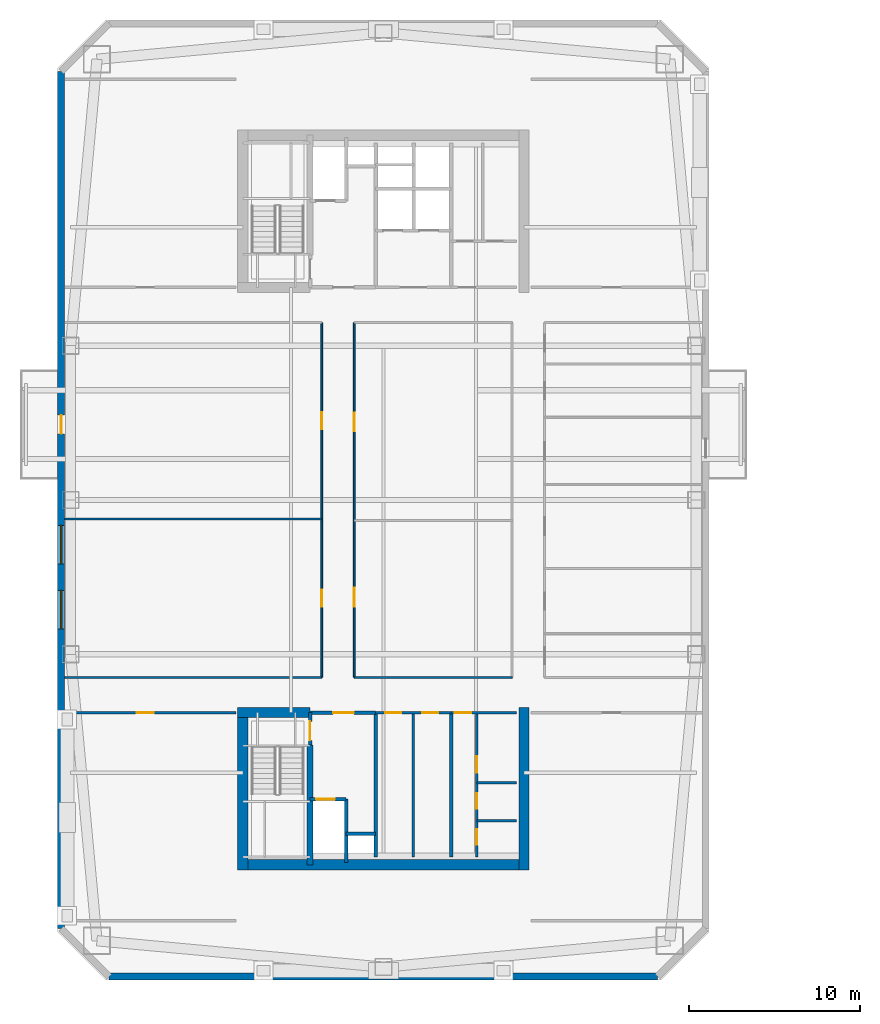
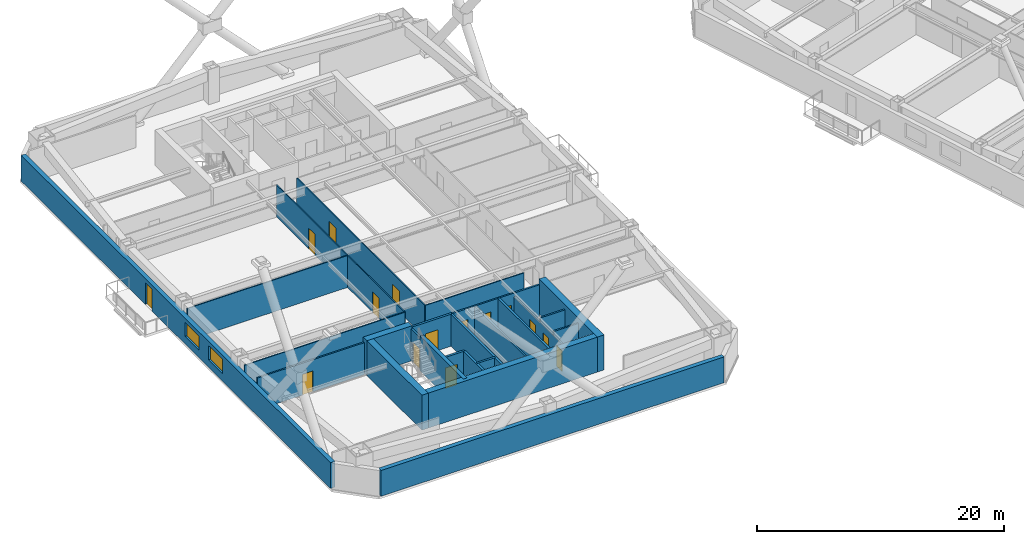
# One storey, part 6 of 17: 26 walls, 15 doors, 2 windows, 17 openings.
"""IFC4 building model written with IfcOpenShell, lengths in metres."""

from ifc_helpers import new_model, si_unit, direction, frame, frame_2d, origin, place, context, subcontext, project, spatial, rectangle, extrude, material, layer, layer_set, type_object, element, fill, save


model = new_model("IFC4")

# Units and contexts
model_context = context("Model", 3, precision=1e-05, world=origin(), true_north=direction((0.0, 1.0)))
body_context = subcontext(model_context, "Body", "Model", "MODEL_VIEW")
ifc_project = project(units=[si_unit("LENGTHUNIT", "METRE"), si_unit("AREAUNIT", "SQUARE_METRE"), si_unit("VOLUMEUNIT", "CUBIC_METRE"), si_unit("PLANEANGLEUNIT", "RADIAN"), si_unit("MASSUNIT", "GRAM", prefix="KILO")], contexts=[model_context])

# Site, building, storey
site_placement = place(None, origin())
site = spatial("IfcSite", under=ifc_project, at=site_placement, CompositionType="ELEMENT")
building_placement = place(site_placement, origin())
building = spatial("IfcBuilding", under=site, at=building_placement, Name="Qiaolan Cultural Towers", CompositionType="ELEMENT")
storey_placement = place(building_placement, frame((0.0, 0.0, 134.550048828125)))
storey = spatial("IfcBuildingStorey", under=building, at=storey_placement, Name="L35", CompositionType="ELEMENT", Elevation=134.550048828125)

# Walls
ifc_material_1 = material(Name="Concrete C50", Category="concrete")
ifc_layer_1 = layer(ifc_material_1, 0.35009765625)
ifc_layer_set_1 = layer_set([ifc_layer_1], Name="Concrete C50")
wall_type_1 = type_object("IfcWallType", Name="WL-CORE-350", PredefinedType="SHEAR", material=ifc_layer_set_1)
wall_1_placement = place(storey_placement, frame((25.719970703125, 19.699951171875, 0.0), z_axis=(0.0, 0.0, 1.0), x_axis=(0.0, -1.0, 0.0)))
element("IfcWall", 1, at=wall_1_placement, inside=storey, type_object=wall_type_1, Name="L35 T1-CS Stair Core Dividing Web", PredefinedType="SHEAR", context=body_context, shape_type="SweptSolid", body=[
    extrude(rectangle(XDim=6.97998046875, YDim=0.35009765625, at=frame_2d((3.489990234375, 0.0))), origin(), (0.0, 0.0, 1.0), 3.449951171875),
])
ifc_material_2 = material(Name="Concrete C55", Category="concrete")
ifc_layer_2 = layer(ifc_material_2, 0.60009765625)
ifc_layer_set_2 = layer_set([ifc_layer_2], Name="Concrete C55")
wall_type_2 = type_object("IfcWallType", Name="WL-CORE-600", PredefinedType="SHEAR", material=ifc_layer_set_2)
wall_2_placement = place(storey_placement, frame((21.5, 12.719970703125, 0.0), z_axis=(0.0, 0.0, 1.0), x_axis=(1.0, 0.0, 0.0)))
element("IfcWall", 2, at=wall_2_placement, inside=storey, type_object=wall_type_2, Name="L35 T1-CS Outer Core Shear Wall", PredefinedType="SHEAR", context=body_context, shape_type="SweptSolid", body=[
    extrude(rectangle(XDim=17.0, YDim=0.60009765625, at=frame_2d((8.5, 0.0))), origin(), (0.0, 0.0, 1.0), 3.449951171875),
])
for number, where, z_axis, x_axis, name in (
    (3, (21.800048828125, 21.89990234375, 0.0), (0.0, 0.0, 1.0), (0.0, -1.0, 0.0), "L35 T1-CS West Core Shear Wall"),
    (4, (38.199951171875, 21.89990234375, 0.0), (0.0, 0.0, 1.0), (0.0, -1.0, 0.0), "L35 T1-CS East Core Shear Wall"),
):
    element("IfcWall", number, at=place(storey_placement, frame(where, z_axis=z_axis, x_axis=x_axis)), inside=storey, type_object=wall_type_2, Name=name, PredefinedType="SHEAR", context=body_context, shape_type="SweptSolid", body=[
        extrude(rectangle(XDim=9.47998046875, YDim=0.60009765625, at=frame_2d((4.739990234375, 0.0))), origin(), (0.0, 0.0, 1.0), 3.449951171875),
    ])
wall_3_placement = place(storey_placement, frame((21.5, 21.60009765625, 0.0), z_axis=(0.0, 0.0, 1.0), x_axis=(1.0, 0.0, 0.0)))
element("IfcWall", 5, at=wall_3_placement, inside=storey, type_object=wall_type_2, Name="L35 T1-CS Stair Front Shear Wall", PredefinedType="SHEAR", context=body_context, shape_type="SweptSolid", body=[
    extrude(rectangle(XDim=4.219970703125, YDim=0.60009765625, at=frame_2d((2.10986328125, 0.0))), origin(), (0.0, 0.0, 1.0), 3.449951171875),
])

# Wall, openings, door, windows
ifc_material_3 = material(Name="Precast Concrete C50 Honed Stone Pier", Category="masonry")
ifc_layer_3 = layer(ifc_material_3, 0.39990234375)
ifc_layer_set_3 = layer_set([ifc_layer_3], Name="Precast Concrete C50 Honed Stone Pier")
wall_type_3 = type_object("IfcWallType", Name="WL-EXT-PIER-400", PredefinedType="SOLIDWALL", material=ifc_layer_set_3)
wall_4_placement = place(storey_placement, frame((11.199951171875, 9.0, 0.0), z_axis=(0.0, 0.0, 1.0), x_axis=(0.0, 1.0, 0.0)))
wall_4 = element("IfcWall", 6, at=wall_4_placement, inside=storey, type_object=wall_type_3, Name="L35 West Tower Precast Pier Facade Wall F1", PredefinedType="SOLIDWALL", context=body_context, shape_type="SweptSolid", body=[
    extrude(rectangle(XDim=50.0, YDim=0.39990234375, at=frame_2d((25.0, 0.0))), origin(), (0.0, 0.0, 1.0), 2.550048828125),
])
opening_1_placement = place(wall_4_placement, frame((17.47509765625, 0.0, 0.75)))
opening_1 = element("IfcOpeningElement", 7, at=opening_1_placement, cuts=wall_4, Name="Opening W-03", PredefinedType="OPENING", context=body_context, shape_type="SweptSolid", body=[
    extrude(rectangle(XDim=2.25, YDim=1.39990234375, at=frame_2d((1.125, 0.699951171875))), frame((0.0, 0.2099609375, 0.0), z_axis=(0.0, -1.0, 0.0), x_axis=(1.0, 0.0, 0.0)), (0.0, 0.0, 1.0), 0.419921875),
])
opening_2_placement = place(wall_4_placement, frame((21.27490234375, 0.0, 0.75)))
opening_2 = element("IfcOpeningElement", 8, at=opening_2_placement, cuts=wall_4, Name="Opening W-03", PredefinedType="OPENING", context=body_context, shape_type="SweptSolid", body=[
    extrude(rectangle(XDim=2.25, YDim=1.39990234375, at=frame_2d((1.125, 0.699951171875))), frame((0.0, 0.2099609375, 0.0), z_axis=(0.0, -1.0, 0.0), x_axis=(1.0, 0.0, 0.0)), (0.0, 0.0, 1.0), 0.419921875),
])
opening_3_placement = place(wall_4_placement, frame((28.85009765625, 0.0, 0.0)))
opening_3 = element("IfcOpeningElement", 9, at=opening_3_placement, cuts=wall_4, Name="Opening BD-01", PredefinedType="OPENING", context=body_context, shape_type="SweptSolid", body=[
    extrude(rectangle(XDim=1.10009765625, YDim=2.14990234375, at=frame_2d((0.550048828125, 1.074951171875))), frame((0.0, 0.2099609375, 0.0), z_axis=(0.0, -1.0, 0.0), x_axis=(1.0, 0.0, 0.0)), (0.0, 0.0, 1.0), 0.419921875),
])
ifc_material_4 = material(Name="Thermally Broken Aluminium Glazed Terrace Door", Category="aluminium")
door_type_1 = type_object("IfcDoorType", Name="DR-BAL-1100", OperationType="NOTDEFINED", PredefinedType="DOOR", material=ifc_material_4)
door_1_placement = place(opening_3_placement, origin())
door_1 = element("IfcDoor", 10, at=door_1_placement, inside=storey, type_object=door_type_1, Name="L35 T1 West Tree Balcony Door", OperationType="SINGLE_SWING_LEFT", OverallHeight=2.14990234375, OverallWidth=1.10009765625, PredefinedType="DOOR", context=body_context, shape_type="SweptSolid", body=[
    extrude(rectangle(XDim=1.10009765625, YDim=2.14990234375, at=frame_2d((0.550048828125, 1.074951171875))), frame((0.0, 0.02490234375, 0.0), z_axis=(0.0, -1.0, 0.0), x_axis=(1.0, 0.0, 0.0)), (0.0, 0.0, 1.0), 0.050048828125),
])
fill(opening_3, door_1)
ifc_material_5 = material(Name="Thermally Broken Aluminium Triple Low-E Glazing", Category="aluminium")
window_type = type_object("IfcWindowType", Name="WN-CHIC-2250", PartitioningType="SINGLE_PANEL", PredefinedType="WINDOW", material=ifc_material_5)
window_1_placement = place(opening_1_placement, origin())
window_1 = element("IfcWindow", 11, at=window_1_placement, inside=storey, type_object=window_type, Name="L35 T1 W Chicago Bay Window 1", OverallHeight=1.39990234375, OverallWidth=2.25, PartitioningType="TRIPLE_PANEL_VERTICAL", PredefinedType="WINDOW", context=body_context, shape_type="SweptSolid", body=[
    extrude(rectangle(XDim=2.25, YDim=1.39990234375, at=frame_2d((1.125, 0.699951171875))), frame((0.0, 0.030029296875, 0.0), z_axis=(0.0, -1.0, 0.0), x_axis=(1.0, 0.0, 0.0)), (0.0, 0.0, 1.0), 0.06005859375),
])
fill(opening_1, window_1)
window_2_placement = place(opening_2_placement, origin())
window_2 = element("IfcWindow", 12, at=window_2_placement, inside=storey, type_object=window_type, Name="L35 T1 W Chicago Bay Window 2", OverallHeight=1.39990234375, OverallWidth=2.25, PartitioningType="TRIPLE_PANEL_VERTICAL", PredefinedType="WINDOW", context=body_context, shape_type="SweptSolid", body=[
    extrude(rectangle(XDim=2.25, YDim=1.39990234375, at=frame_2d((1.125, 0.699951171875))), frame((0.0, 0.030029296875, 0.0), z_axis=(0.0, -1.0, 0.0), x_axis=(1.0, 0.0, 0.0)), (0.0, 0.0, 1.0), 0.06005859375),
])
fill(opening_2, window_2)

# Wall
wall_5_placement = place(storey_placement, frame((46.0, 6.199951171875, 0.0), z_axis=(0.0, 0.0, 1.0), x_axis=(-1.0, 0.0, 0.0)))
element("IfcWall", 13, at=wall_5_placement, inside=storey, type_object=wall_type_3, Name="L35 West Tower Precast Pier Facade Wall F7", PredefinedType="SOLIDWALL", context=body_context, shape_type="SweptSolid", body=[
    extrude(rectangle(XDim=32.0, YDim=0.39990234375, at=frame_2d((16.0, 0.0))), origin(), (0.0, 0.0, 1.0), 2.550048828125),
])

# Wall, opening, door
ifc_material_6 = material(Name="Concrete C35 Fire Wall", Category="concrete")
ifc_layer_4 = layer(ifc_material_6, 0.199951171875)
ifc_layer_set_4 = layer_set([ifc_layer_4], Name="Concrete C35 Fire Wall")
wall_type_4 = type_object("IfcWallType", Name="WL-FIRE-200", PredefinedType="PARTITIONING", material=ifc_layer_set_4)
wall_6_placement = place(storey_placement, frame((25.719970703125, 21.60009765625, 0.0), z_axis=(0.0, 0.0, 1.0), x_axis=(0.0, -1.0, 0.0)))
wall_6 = element("IfcWall", 14, at=wall_6_placement, inside=storey, type_object=wall_type_4, Name="L35 T1-CS Smokeproof Stair Entry Wall", PredefinedType="PARTITIONING", context=body_context, shape_type="SweptSolid", body=[
    extrude(rectangle(XDim=1.900146484375, YDim=0.199951171875, at=frame_2d((0.9501953125, 0.0))), origin(), (0.0, 0.0, 1.0), 3.155029296875),
])
opening_4_placement = place(wall_6_placement, frame((0.52001953125, 0.0, 0.0)))
opening_4 = element("IfcOpeningElement", 15, at=opening_4_placement, cuts=wall_6, Name="Opening FD-04", PredefinedType="OPENING", context=body_context, shape_type="SweptSolid", body=[
    extrude(rectangle(XDim=1.10009765625, YDim=2.050048828125, at=frame_2d((0.550048828125, 1.02490234375))), frame((0.0, 0.10986328125, 0.0), z_axis=(0.0, -1.0, 0.0), x_axis=(1.0, 0.0, 0.0)), (0.0, 0.0, 1.0), 0.219970703125),
])
ifc_material_7 = material(Name="Galvanized Steel Command Fire Door", Category="steel")
door_type_2 = type_object("IfcDoorType", Name="DR-FD90-1100", OperationType="NOTDEFINED", PredefinedType="DOOR", material=ifc_material_7)
door_2_placement = place(opening_4_placement, origin())
door_2 = element("IfcDoor", 16, at=door_2_placement, inside=storey, type_object=door_type_2, Name="L35 ST-W1 Smokeproof Stair Fire Door", OperationType="SINGLE_SWING_LEFT", OverallHeight=2.050048828125, OverallWidth=1.10009765625, PredefinedType="DOOR", context=body_context, shape_type="SweptSolid", body=[
    extrude(rectangle(XDim=1.10009765625, YDim=2.050048828125, at=frame_2d((0.550048828125, 1.02490234375))), frame((0.0, 0.02490234375, 0.0), z_axis=(0.0, -1.0, 0.0), x_axis=(1.0, 0.0, 0.0)), (0.0, 0.0, 1.0), 0.050048828125),
])
fill(opening_4, door_2)

# Wall
wall_7_placement = place(storey_placement, frame((29.550048828125, 21.60009765625, 0.0), z_axis=(0.0, 0.0, 1.0), x_axis=(0.0, -1.0, 0.0)))
element("IfcWall", 17, at=wall_7_placement, inside=storey, type_object=wall_type_4, Name="L35 T1-CS Firefighting Zone Wall", PredefinedType="PARTITIONING", context=body_context, shape_type="SweptSolid", body=[
    extrude(rectangle(XDim=8.43017578125, YDim=0.199951171875, at=frame_2d((4.215087890625, 0.0))), origin(), (0.0, 0.0, 1.0), 3.155029296875),
])

# Wall, opening, door
wall_8_placement = place(storey_placement, frame((25.719970703125, 21.60009765625, 0.0), z_axis=(0.0, 0.0, 1.0), x_axis=(1.0, 0.0, 0.0)))
wall_8 = element("IfcWall", 18, at=wall_8_placement, inside=storey, type_object=wall_type_4, Name="L35 T1-CS Firefighting Lobby Front Wall", PredefinedType="PARTITIONING", context=body_context, shape_type="SweptSolid", body=[
    extrude(rectangle(XDim=3.830078125, YDim=0.199951171875, at=frame_2d((1.9150390625, 0.0))), origin(), (0.0, 0.0, 1.0), 3.155029296875),
])
opening_5_placement = place(wall_8_placement, frame((1.35009765625, 0.0, 0.0)))
opening_5 = element("IfcOpeningElement", 19, at=opening_5_placement, cuts=wall_8, Name="Opening FD-03", PredefinedType="OPENING", context=body_context, shape_type="SweptSolid", body=[
    extrude(rectangle(XDim=1.199951171875, YDim=2.050048828125, at=frame_2d((0.60009765625, 1.02490234375))), frame((0.0, 0.10986328125, 0.0), z_axis=(0.0, -1.0, 0.0), x_axis=(1.0, 0.0, 0.0)), (0.0, 0.0, 1.0), 0.219970703125),
])
ifc_material_8 = material(Name="Galvanized Steel Smokeproof Lobby Fire Door", Category="steel")
door_type_3 = type_object("IfcDoorType", Name="DR-FD90-1200", OperationType="NOTDEFINED", PredefinedType="DOOR", material=ifc_material_8)
door_3_placement = place(opening_5_placement, origin())
door_3 = element("IfcDoor", 20, at=door_3_placement, inside=storey, type_object=door_type_3, Name="L35 FFL-W1 Firefighting Lobby Fire Door", OperationType="SINGLE_SWING_LEFT", OverallHeight=2.050048828125, OverallWidth=1.199951171875, PredefinedType="DOOR", context=body_context, shape_type="SweptSolid", body=[
    extrude(rectangle(XDim=1.199951171875, YDim=2.050048828125, at=frame_2d((0.60009765625, 1.02490234375))), frame((0.0, 0.02490234375, 0.0), z_axis=(0.0, -1.0, 0.0), x_axis=(1.0, 0.0, 0.0)), (0.0, 0.0, 1.0), 0.050048828125),
])
fill(opening_5, door_3)

wall_9_placement = place(storey_placement, frame((25.719970703125, 16.550048828125, 0.0), z_axis=(0.0, 0.0, 1.0), x_axis=(1.0, 0.0, 0.0)))
wall_9 = element("IfcWall", 21, at=wall_9_placement, inside=storey, type_object=wall_type_4, Name="L35 T1-CS Firefighting Shaft Front Wall", PredefinedType="PARTITIONING", context=body_context, shape_type="SweptSolid", body=[
    extrude(rectangle(XDim=2.10009765625, YDim=0.199951171875, at=frame_2d((1.050048828125, 0.0))), origin(), (0.0, 0.0, 1.0), 3.155029296875),
])
opening_6_placement = place(wall_9_placement, frame((0.35009765625, 0.0, 0.0)))
opening_6 = element("IfcOpeningElement", 22, at=opening_6_placement, cuts=wall_9, Name="Opening LD-01", PredefinedType="OPENING", context=body_context, shape_type="SweptSolid", body=[
    extrude(rectangle(XDim=1.10009765625, YDim=2.050048828125, at=frame_2d((0.550048828125, 1.02490234375))), frame((0.0, 0.10986328125, 0.0), z_axis=(0.0, -1.0, 0.0), x_axis=(1.0, 0.0, 0.0)), (0.0, 0.0, 1.0), 0.219970703125),
])
ifc_material_9 = material(Name="Brushed Stainless Steel S30408 Centre-Parting Lift Landing Door", Category="steel")
door_type_4 = type_object("IfcDoorType", Name="DR-LIFT-1100", OperationType="NOTDEFINED", PredefinedType="DOOR", material=ifc_material_9)
door_4_placement = place(opening_6_placement, origin())
door_4 = element("IfcDoor", 23, at=door_4_placement, inside=storey, type_object=door_type_4, Name="L35 FFL-W1 Firefighting Lift Landing Door", OperationType="DOUBLE_DOOR_SLIDING", OverallHeight=2.050048828125, OverallWidth=1.10009765625, PredefinedType="DOOR", context=body_context, shape_type="SweptSolid", body=[
    extrude(rectangle(XDim=1.10009765625, YDim=2.050048828125, at=frame_2d((0.550048828125, 1.02490234375))), frame((0.0, 0.02490234375, 0.0), z_axis=(0.0, -1.0, 0.0), x_axis=(1.0, 0.0, 0.0)), (0.0, 0.0, 1.0), 0.050048828125),
])
fill(opening_6, door_4)

# Walls
wall_10_placement = place(storey_placement, frame((27.820068359375, 16.550048828125, 0.0), z_axis=(0.0, 0.0, 1.0), x_axis=(0.0, -1.0, 0.0)))
element("IfcWall", 24, at=wall_10_placement, inside=storey, type_object=wall_type_4, Name="L35 T1-CS Firefighting Hoistway East Wall", PredefinedType="PARTITIONING", context=body_context, shape_type="SweptSolid", body=[
    extrude(rectangle(XDim=3.699951171875, YDim=0.199951171875, at=frame_2d((1.85009765625, 0.0))), origin(), (0.0, 0.0, 1.0), 3.155029296875),
])
wall_11_placement = place(storey_placement, frame((27.820068359375, 14.52001953125, 0.0), z_axis=(0.0, 0.0, 1.0), x_axis=(1.0, 0.0, 0.0)))
element("IfcWall", 25, at=wall_11_placement, inside=storey, type_object=wall_type_4, Name="L35 T1-CS Pressurization Shaft Front Wall", PredefinedType="PARTITIONING", context=body_context, shape_type="SweptSolid", body=[
    extrude(rectangle(XDim=1.72998046875, YDim=0.199951171875, at=frame_2d((0.864990234375, 0.0))), origin(), (0.0, 0.0, 1.0), 3.155029296875),
])
wall_12_placement = place(storey_placement, frame((33.949951171875, 21.60009765625, 0.0), z_axis=(0.0, 0.0, 1.0), x_axis=(0.0, -1.0, 0.0)))
element("IfcWall", 26, at=wall_12_placement, inside=storey, type_object=wall_type_4, Name="L35 T1-CS Lift Core East Wall", PredefinedType="PARTITIONING", context=body_context, shape_type="SweptSolid", body=[
    extrude(rectangle(XDim=8.43017578125, YDim=0.199951171875, at=frame_2d((4.215087890625, 0.0))), origin(), (0.0, 0.0, 1.0), 3.155029296875),
])
ifc_material_10 = material(Name="Acoustic Double-Glazed Partition Frame", Category="glass")
ifc_layer_5 = layer(ifc_material_10, 0.10009765625)
ifc_layer_set_5 = layer_set([ifc_layer_5], Name="Acoustic Double-Glazed Partition Frame")
wall_type_5 = type_object("IfcWallType", Name="WL-GLAZED-100", PredefinedType="MOVABLE", material=ifc_layer_set_5)
wall_13_placement = place(storey_placement, frame((11.39990234375, 23.64990234375, 0.0), z_axis=(0.0, 0.0, 1.0), x_axis=(1.0, 0.0, 0.0)))
element("IfcWall", 27, at=wall_13_placement, inside=storey, type_object=wall_type_5, Name="L35 T1 Interior Wall", PredefinedType="MOVABLE", context=body_context, shape_type="SweptSolid", body=[
    extrude(rectangle(XDim=15.0, YDim=0.10009765625, at=frame_2d((7.5, 0.0))), origin(), (0.0, 0.0, 1.0), 3.155029296875),
])
wall_14_placement = place(storey_placement, frame((28.300048828125, 23.64990234375, 0.0), z_axis=(0.0, 0.0, 1.0), x_axis=(1.0, 0.0, 0.0)))
element("IfcWall", 28, at=wall_14_placement, inside=storey, type_object=wall_type_5, Name="L35 T1 Interior Wall", PredefinedType="MOVABLE", context=body_context, shape_type="SweptSolid", body=[
    extrude(rectangle(XDim=9.199951171875, YDim=0.10009765625, at=frame_2d((4.60009765625, 0.0))), origin(), (0.0, 0.0, 1.0), 3.155029296875),
])

# Wall, openings, doors
wall_15_placement = place(storey_placement, frame((26.39990234375, 23.64990234375, 0.0), z_axis=(0.0, 0.0, 1.0), x_axis=(0.0, 1.0, 0.0)))
wall_15 = element("IfcWall", 29, at=wall_15_placement, inside=storey, type_object=wall_type_5, Name="L35 T1 Interior Wall", PredefinedType="MOVABLE", context=body_context, shape_type="SweptSolid", body=[
    extrude(rectangle(XDim=20.7001953125, YDim=0.10009765625, at=frame_2d((10.35009765625, 0.0))), origin(), (0.0, 0.0, 1.0), 3.155029296875),
])
opening_7_placement = place(wall_15_placement, frame((4.12353515625, 0.0, 0.0)))
opening_7 = element("IfcOpeningElement", 30, at=opening_7_placement, cuts=wall_15, Name="Opening ID-04", PredefinedType="OPENING", context=body_context, shape_type="SweptSolid", body=[
    extrude(rectangle(XDim=1.0, YDim=2.050048828125, at=frame_2d((0.5, 1.02490234375))), frame((0.0, 0.06005859375, 0.0), z_axis=(0.0, -1.0, 0.0), x_axis=(1.0, 0.0, 0.0)), (0.0, 0.0, 1.0), 0.1201171875),
])
opening_8_placement = place(wall_15_placement, frame((14.473388671875, 0.0, 0.0)))
opening_8 = element("IfcOpeningElement", 31, at=opening_8_placement, cuts=wall_15, Name="Opening ID-04", PredefinedType="OPENING", context=body_context, shape_type="SweptSolid", body=[
    extrude(rectangle(XDim=1.0, YDim=2.050048828125, at=frame_2d((0.5, 1.02490234375))), frame((0.0, 0.06005859375, 0.0), z_axis=(0.0, -1.0, 0.0), x_axis=(1.0, 0.0, 0.0)), (0.0, 0.0, 1.0), 0.1201171875),
])
ifc_material_11 = material(Name="Oak Veneer Acoustic Office Door", Category="timber")
door_type_5 = type_object("IfcDoorType", Name="DR-INT-1000", OperationType="NOTDEFINED", PredefinedType="DOOR", material=ifc_material_11)
door_5_placement = place(opening_7_placement, origin())
door_5 = element("IfcDoor", 32, at=door_5_placement, inside=storey, type_object=door_type_5, Name="L35 T1 Design Research Studio Door", OperationType="SINGLE_SWING_LEFT", OverallHeight=2.050048828125, OverallWidth=1.0, PredefinedType="DOOR", context=body_context, shape_type="SweptSolid", body=[
    extrude(rectangle(XDim=1.0, YDim=2.050048828125, at=frame_2d((0.5, 1.02490234375))), frame((0.0, 0.02490234375, 0.0), z_axis=(0.0, -1.0, 0.0), x_axis=(1.0, 0.0, 0.0)), (0.0, 0.0, 1.0), 0.050048828125),
])
fill(opening_7, door_5)
door_6_placement = place(opening_8_placement, origin())
door_6 = element("IfcDoor", 33, at=door_6_placement, inside=storey, type_object=door_type_5, Name="L35 T1 Design Research Studio Door", OperationType="SINGLE_SWING_RIGHT", OverallHeight=2.050048828125, OverallWidth=1.0, PredefinedType="DOOR", context=body_context, shape_type="SweptSolid", body=[
    extrude(rectangle(XDim=1.0, YDim=2.050048828125, at=frame_2d((0.5, 1.02490234375))), frame((0.0, 0.02490234375, 0.0), z_axis=(0.0, -1.0, 0.0), x_axis=(1.0, 0.0, 0.0)), (0.0, 0.0, 1.0), 0.050048828125),
])
fill(opening_8, door_6)

wall_16_placement = place(storey_placement, frame((28.300048828125, 23.64990234375, 0.0), z_axis=(0.0, 0.0, 1.0), x_axis=(0.0, 1.0, 0.0)))
wall_16 = element("IfcWall", 34, at=wall_16_placement, inside=storey, type_object=wall_type_5, Name="L35 T1 Interior Wall", PredefinedType="MOVABLE", context=body_context, shape_type="SweptSolid", body=[
    extrude(rectangle(XDim=20.7001953125, YDim=0.10009765625, at=frame_2d((10.35009765625, 0.0))), origin(), (0.0, 0.0, 1.0), 3.155029296875),
])
opening_9_placement = place(wall_16_placement, frame((4.117431640625, 0.0, 0.0)))
opening_9 = element("IfcOpeningElement", 35, at=opening_9_placement, cuts=wall_16, Name="Opening ID-03", PredefinedType="OPENING", context=body_context, shape_type="SweptSolid", body=[
    extrude(rectangle(XDim=1.10009765625, YDim=2.050048828125, at=frame_2d((0.550048828125, 1.02490234375))), frame((0.0, 0.06005859375, 0.0), z_axis=(0.0, -1.0, 0.0), x_axis=(1.0, 0.0, 0.0)), (0.0, 0.0, 1.0), 0.1201171875),
])
opening_10_placement = place(wall_16_placement, frame((14.347412109375, 0.0, 0.0)))
opening_10 = element("IfcOpeningElement", 36, at=opening_10_placement, cuts=wall_16, Name="Opening ID-03", PredefinedType="OPENING", context=body_context, shape_type="SweptSolid", body=[
    extrude(rectangle(XDim=1.10009765625, YDim=2.050048828125, at=frame_2d((0.550048828125, 1.02490234375))), frame((0.0, 0.06005859375, 0.0), z_axis=(0.0, -1.0, 0.0), x_axis=(1.0, 0.0, 0.0)), (0.0, 0.0, 1.0), 0.1201171875),
])
ifc_material_12 = material(Name="Oak Veneer Solid-Core Boardroom Door", Category="timber")
door_type_6 = type_object("IfcDoorType", Name="DR-INT-1100", OperationType="NOTDEFINED", PredefinedType="DOOR", material=ifc_material_12)
door_7_placement = place(opening_9_placement, origin())
door_7 = element("IfcDoor", 37, at=door_7_placement, inside=storey, type_object=door_type_6, Name="L35 T1 Central Boardroom Door", OperationType="SINGLE_SWING_LEFT", OverallHeight=2.050048828125, OverallWidth=1.10009765625, PredefinedType="DOOR", context=body_context, shape_type="SweptSolid", body=[
    extrude(rectangle(XDim=1.10009765625, YDim=2.050048828125, at=frame_2d((0.550048828125, 1.02490234375))), frame((0.0, 0.02490234375, 0.0), z_axis=(0.0, -1.0, 0.0), x_axis=(1.0, 0.0, 0.0)), (0.0, 0.0, 1.0), 0.050048828125),
])
fill(opening_9, door_7)
door_8_placement = place(opening_10_placement, origin())
door_8 = element("IfcDoor", 38, at=door_8_placement, inside=storey, type_object=door_type_6, Name="L35 T1 Central Archive Salon Door", OperationType="SINGLE_SWING_RIGHT", OverallHeight=2.050048828125, OverallWidth=1.10009765625, PredefinedType="DOOR", context=body_context, shape_type="SweptSolid", body=[
    extrude(rectangle(XDim=1.10009765625, YDim=2.050048828125, at=frame_2d((0.550048828125, 1.02490234375))), frame((0.0, 0.02490234375, 0.0), z_axis=(0.0, -1.0, 0.0), x_axis=(1.0, 0.0, 0.0)), (0.0, 0.0, 1.0), 0.050048828125),
])
fill(opening_10, door_8)

# Wall
wall_17_placement = place(storey_placement, frame((11.39990234375, 32.89697265625, 0.0), z_axis=(0.0, 0.0, 1.0), x_axis=(1.0, 0.0, 0.0)))
element("IfcWall", 39, at=wall_17_placement, inside=storey, type_object=wall_type_5, Name="L35 T1 Interior Wall", PredefinedType="MOVABLE", context=body_context, shape_type="SweptSolid", body=[
    extrude(rectangle(XDim=15.0, YDim=0.10009765625, at=frame_2d((7.5, 0.0))), origin(), (0.0, 0.0, 1.0), 3.155029296875),
])

# Wall, openings, doors
ifc_material_13 = material(Name="Autoclaved Aerated Concrete Block B06", Category="concrete")
ifc_layer_6 = layer(ifc_material_13, 0.14990234375)
ifc_layer_set_6 = layer_set([ifc_layer_6], Name="Autoclaved Aerated Concrete Block B06")
wall_type_6 = type_object("IfcWallType", Name="WL-PART-150", PredefinedType="PARTITIONING", material=ifc_layer_set_6)
wall_18_placement = place(storey_placement, frame((29.550048828125, 21.60009765625, 0.0), z_axis=(0.0, 0.0, 1.0), x_axis=(1.0, 0.0, 0.0)))
wall_18 = element("IfcWall", 40, at=wall_18_placement, inside=storey, type_object=wall_type_6, Name="L35 T1-CS Reclaimed Core Room Front Wall", PredefinedType="PARTITIONING", context=body_context, shape_type="SweptSolid", body=[
    extrude(rectangle(XDim=4.39990234375, YDim=0.14990234375, at=frame_2d((2.199951171875, 0.0))), origin(), (0.0, 0.0, 1.0), 3.155029296875),
])
opening_11_placement = place(wall_18_placement, frame((0.550048828125, 0.0, 0.0)))
opening_11 = element("IfcOpeningElement", 41, at=opening_11_placement, cuts=wall_18, Name="Opening ID-05", PredefinedType="OPENING", context=body_context, shape_type="SweptSolid", body=[
    extrude(rectangle(XDim=0.949951171875, YDim=2.050048828125, at=frame_2d((0.47509765625, 1.02490234375))), frame((0.0, 0.0849609375, 0.0), z_axis=(0.0, -1.0, 0.0), x_axis=(1.0, 0.0, 0.0)), (0.0, 0.0, 1.0), 0.169921875),
])
opening_12_placement = place(wall_18_placement, frame((2.699951171875, 0.0, 0.0)))
opening_12 = element("IfcOpeningElement", 42, at=opening_12_placement, cuts=wall_18, Name="Opening ID-05", PredefinedType="OPENING", context=body_context, shape_type="SweptSolid", body=[
    extrude(rectangle(XDim=0.949951171875, YDim=2.050048828125, at=frame_2d((0.47509765625, 1.02490234375))), frame((0.0, 0.0849609375, 0.0), z_axis=(0.0, -1.0, 0.0), x_axis=(1.0, 0.0, 0.0)), (0.0, 0.0, 1.0), 0.169921875),
])
ifc_material_14 = material(Name="Fire-Rated Laminate Accessible Core Door", Category="timber")
door_type_7 = type_object("IfcDoorType", Name="DR-INT-950", OperationType="NOTDEFINED", PredefinedType="DOOR", material=ifc_material_14)
door_9_placement = place(opening_11_placement, origin())
door_9 = element("IfcDoor", 43, at=door_9_placement, inside=storey, type_object=door_type_7, Name="L35 Copy Print Room Door", OperationType="SINGLE_SWING_LEFT", OverallHeight=2.050048828125, OverallWidth=0.949951171875, PredefinedType="DOOR", context=body_context, shape_type="SweptSolid", body=[
    extrude(rectangle(XDim=0.949951171875, YDim=2.050048828125, at=frame_2d((0.47509765625, 1.02490234375))), frame((0.0, 0.02490234375, 0.0), z_axis=(0.0, -1.0, 0.0), x_axis=(1.0, 0.0, 0.0)), (0.0, 0.0, 1.0), 0.050048828125),
])
fill(opening_11, door_9)
door_10_placement = place(opening_12_placement, origin())
door_10 = element("IfcDoor", 44, at=door_10_placement, inside=storey, type_object=door_type_7, Name="L35 Tea Pantry Room Door", OperationType="SINGLE_SWING_RIGHT", OverallHeight=2.050048828125, OverallWidth=0.949951171875, PredefinedType="DOOR", context=body_context, shape_type="SweptSolid", body=[
    extrude(rectangle(XDim=0.949951171875, YDim=2.050048828125, at=frame_2d((0.47509765625, 1.02490234375))), frame((0.0, 0.02490234375, 0.0), z_axis=(0.0, -1.0, 0.0), x_axis=(1.0, 0.0, 0.0)), (0.0, 0.0, 1.0), 0.050048828125),
])
fill(opening_12, door_10)

# Wall
wall_19_placement = place(storey_placement, frame((31.75, 21.60009765625, 0.0), z_axis=(0.0, 0.0, 1.0), x_axis=(0.0, -1.0, 0.0)))
element("IfcWall", 45, at=wall_19_placement, inside=storey, type_object=wall_type_6, Name="L35 T1-CS Reclaimed Twin Room Wall", PredefinedType="PARTITIONING", context=body_context, shape_type="SweptSolid", body=[
    extrude(rectangle(XDim=8.43017578125, YDim=0.14990234375, at=frame_2d((4.215087890625, 0.0))), origin(), (0.0, 0.0, 1.0), 3.155029296875),
])

# Wall, opening, door
wall_20_placement = place(storey_placement, frame((33.949951171875, 21.60009765625, 0.0), z_axis=(0.0, 0.0, 1.0), x_axis=(1.0, 0.0, 0.0)))
wall_20 = element("IfcWall", 46, at=wall_20_placement, inside=storey, type_object=wall_type_6, Name="L35 T1-CS Sanitary Core Front Wall", PredefinedType="PARTITIONING", context=body_context, shape_type="SweptSolid", body=[
    extrude(rectangle(XDim=3.800048828125, YDim=0.14990234375, at=frame_2d((1.89990234375, 0.0))), origin(), (0.0, 0.0, 1.0), 3.155029296875),
])
opening_13_placement = place(wall_20_placement, frame((0.219970703125, 0.0, 0.0)))
opening_13 = element("IfcOpeningElement", 47, at=opening_13_placement, cuts=wall_20, Name="Opening ID-05", PredefinedType="OPENING", context=body_context, shape_type="SweptSolid", body=[
    extrude(rectangle(XDim=0.949951171875, YDim=2.050048828125, at=frame_2d((0.47509765625, 1.02490234375))), frame((0.0, 0.0849609375, 0.0), z_axis=(0.0, -1.0, 0.0), x_axis=(1.0, 0.0, 0.0)), (0.0, 0.0, 1.0), 0.169921875),
])
door_11_placement = place(opening_13_placement, origin())
door_11 = element("IfcDoor", 48, at=door_11_placement, inside=storey, type_object=door_type_7, Name="L35 Sanitary Vestibule Door", OperationType="SINGLE_SWING_LEFT", OverallHeight=2.050048828125, OverallWidth=0.949951171875, PredefinedType="DOOR", context=body_context, shape_type="SweptSolid", body=[
    extrude(rectangle(XDim=0.949951171875, YDim=2.050048828125, at=frame_2d((0.47509765625, 1.02490234375))), frame((0.0, 0.02490234375, 0.0), z_axis=(0.0, -1.0, 0.0), x_axis=(1.0, 0.0, 0.0)), (0.0, 0.0, 1.0), 0.050048828125),
])
fill(opening_13, door_11)

# Wall, openings, doors
wall_21_placement = place(storey_placement, frame((35.449951171875, 21.60009765625, 0.0), z_axis=(0.0, 0.0, 1.0), x_axis=(0.0, -1.0, 0.0)))
wall_21 = element("IfcWall", 49, at=wall_21_placement, inside=storey, type_object=wall_type_6, Name="L35 T1-CS Sanitary Vestibule Wall", PredefinedType="PARTITIONING", context=body_context, shape_type="SweptSolid", body=[
    extrude(rectangle(XDim=8.43017578125, YDim=0.14990234375, at=frame_2d((4.215087890625, 0.0))), origin(), (0.0, 0.0, 1.0), 2.794921875),
])
opening_14_placement = place(wall_21_placement, frame((2.550048828125, 0.0, 0.0)))
opening_14 = element("IfcOpeningElement", 50, at=opening_14_placement, cuts=wall_21, Name="Opening ID-05", PredefinedType="OPENING", context=body_context, shape_type="SweptSolid", body=[
    extrude(rectangle(XDim=0.949951171875, YDim=2.050048828125, at=frame_2d((0.47509765625, 1.02490234375))), frame((0.0, 0.0849609375, 0.0), z_axis=(0.0, -1.0, 0.0), x_axis=(1.0, 0.0, 0.0)), (0.0, 0.0, 1.0), 0.169921875),
])
opening_15_placement = place(wall_21_placement, frame((4.699951171875, 0.0, 0.0)))
opening_15 = element("IfcOpeningElement", 51, at=opening_15_placement, cuts=wall_21, Name="Opening ID-06", PredefinedType="OPENING", context=body_context, shape_type="SweptSolid", body=[
    extrude(rectangle(XDim=0.89990234375, YDim=2.050048828125, at=frame_2d((0.449951171875, 1.02490234375))), frame((0.0, 0.0849609375, 0.0), z_axis=(0.0, -1.0, 0.0), x_axis=(1.0, 0.0, 0.0)), (0.0, 0.0, 1.0), 0.169921875),
])
opening_16_placement = place(wall_21_placement, frame((6.800048828125, 0.0, 0.0)))
opening_16 = element("IfcOpeningElement", 52, at=opening_16_placement, cuts=wall_21, Name="Opening ID-06", PredefinedType="OPENING", context=body_context, shape_type="SweptSolid", body=[
    extrude(rectangle(XDim=0.89990234375, YDim=2.050048828125, at=frame_2d((0.449951171875, 1.02490234375))), frame((0.0, 0.0849609375, 0.0), z_axis=(0.0, -1.0, 0.0), x_axis=(1.0, 0.0, 0.0)), (0.0, 0.0, 1.0), 0.169921875),
])
ifc_material_15 = material(Name="Fire-Rated Laminate Core Service Door", Category="timber")
door_type_8 = type_object("IfcDoorType", Name="DR-INT-900", OperationType="NOTDEFINED", PredefinedType="DOOR", material=ifc_material_15)
door_12_placement = place(opening_15_placement, origin())
door_12 = element("IfcDoor", 53, at=door_12_placement, inside=storey, type_object=door_type_8, Name="L35 Men Washroom Door", OperationType="SINGLE_SWING_LEFT", OverallHeight=2.050048828125, OverallWidth=0.89990234375, PredefinedType="DOOR", context=body_context, shape_type="SweptSolid", body=[
    extrude(rectangle(XDim=0.89990234375, YDim=2.050048828125, at=frame_2d((0.449951171875, 1.02490234375))), frame((0.0, 0.02490234375, 0.0), z_axis=(0.0, -1.0, 0.0), x_axis=(1.0, 0.0, 0.0)), (0.0, 0.0, 1.0), 0.050048828125),
])
fill(opening_15, door_12)
door_13_placement = place(opening_16_placement, origin())
door_13 = element("IfcDoor", 54, at=door_13_placement, inside=storey, type_object=door_type_8, Name="L35 Women Washroom Door", OperationType="SINGLE_SWING_RIGHT", OverallHeight=2.050048828125, OverallWidth=0.89990234375, PredefinedType="DOOR", context=body_context, shape_type="SweptSolid", body=[
    extrude(rectangle(XDim=0.89990234375, YDim=2.050048828125, at=frame_2d((0.449951171875, 1.02490234375))), frame((0.0, 0.02490234375, 0.0), z_axis=(0.0, -1.0, 0.0), x_axis=(1.0, 0.0, 0.0)), (0.0, 0.0, 1.0), 0.050048828125),
])
fill(opening_16, door_13)
door_14_placement = place(opening_14_placement, origin())
door_14 = element("IfcDoor", 55, at=door_14_placement, inside=storey, type_object=door_type_7, Name="L35 Accessible Family Washroom Door", OperationType="SINGLE_SWING_LEFT", OverallHeight=2.050048828125, OverallWidth=0.949951171875, PredefinedType="DOOR", context=body_context, shape_type="SweptSolid", body=[
    extrude(rectangle(XDim=0.949951171875, YDim=2.050048828125, at=frame_2d((0.47509765625, 1.02490234375))), frame((0.0, 0.02490234375, 0.0), z_axis=(0.0, -1.0, 0.0), x_axis=(1.0, 0.0, 0.0)), (0.0, 0.0, 1.0), 0.050048828125),
])
fill(opening_14, door_14)

# Walls
for number, where, z_axis, x_axis, name in (
    (56, (35.449951171875, 17.5, 0.0), (0.0, 0.0, 1.0), (1.0, 0.0, 0.0), "L35 T1-CS Restroom Split Wall 1"),
    (57, (35.449951171875, 15.300048828125, 0.0), (0.0, 0.0, 1.0), (1.0, 0.0, 0.0), "L35 T1-CS Restroom Split Wall 2"),
):
    element("IfcWall", number, at=place(storey_placement, frame(where, z_axis=z_axis, x_axis=x_axis)), inside=storey, type_object=wall_type_6, Name=name, PredefinedType="PARTITIONING", context=body_context, shape_type="SweptSolid", body=[
        extrude(rectangle(XDim=2.300048828125, YDim=0.14990234375, at=frame_2d((1.14990234375, 0.0))), origin(), (0.0, 0.0, 1.0), 3.155029296875),
    ])

# Wall, opening, door
wall_22_placement = place(storey_placement, frame((11.39990234375, 21.60009765625, 0.0), z_axis=(0.0, 0.0, 1.0), x_axis=(1.0, 0.0, 0.0)))
wall_22 = element("IfcWall", 58, at=wall_22_placement, inside=storey, type_object=wall_type_6, Name="L35 T1 Flank Front FLK-SW", PredefinedType="PARTITIONING", context=body_context, shape_type="SweptSolid", body=[
    extrude(rectangle(XDim=10.0, YDim=0.14990234375, at=frame_2d((5.0, 0.0))), origin(), (0.0, 0.0, 1.0), 3.155029296875),
])
opening_17_placement = place(wall_22_placement, frame((4.199951171875, 0.0, 0.0)))
opening_17 = element("IfcOpeningElement", 59, at=opening_17_placement, cuts=wall_22, Name="Opening ID-04", PredefinedType="OPENING", context=body_context, shape_type="SweptSolid", body=[
    extrude(rectangle(XDim=1.0, YDim=2.050048828125, at=frame_2d((0.5, 1.02490234375))), frame((0.0, 0.0849609375, 0.0), z_axis=(0.0, -1.0, 0.0), x_axis=(1.0, 0.0, 0.0)), (0.0, 0.0, 1.0), 0.169921875),
])
door_15_placement = place(opening_17_placement, origin())
door_15 = element("IfcDoor", 60, at=door_15_placement, inside=storey, type_object=door_type_5, Name="L35 T1 Corner Studio Door", OperationType="SINGLE_SWING_LEFT", OverallHeight=2.050048828125, OverallWidth=1.0, PredefinedType="DOOR", context=body_context, shape_type="SweptSolid", body=[
    extrude(rectangle(XDim=1.0, YDim=2.050048828125, at=frame_2d((0.5, 1.02490234375))), frame((0.0, 0.02490234375, 0.0), z_axis=(0.0, -1.0, 0.0), x_axis=(1.0, 0.0, 0.0)), (0.0, 0.0, 1.0), 0.050048828125),
])
fill(opening_17, door_15)

save(model, "model.ifc")
